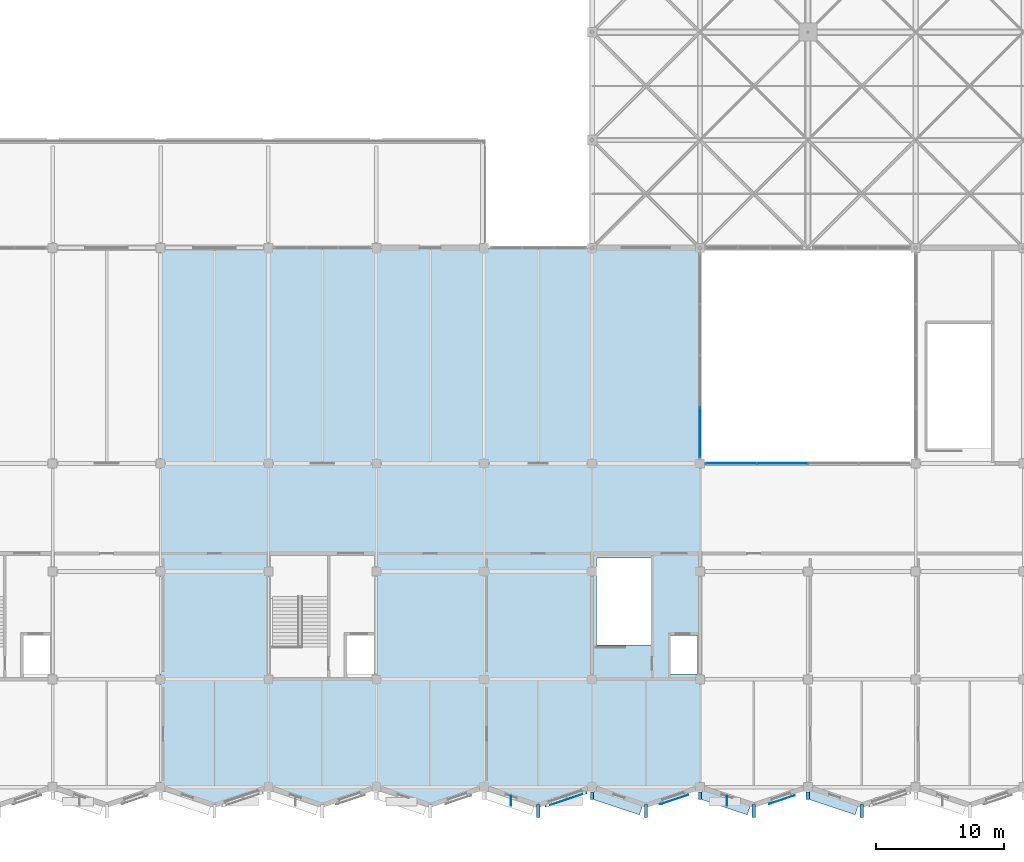
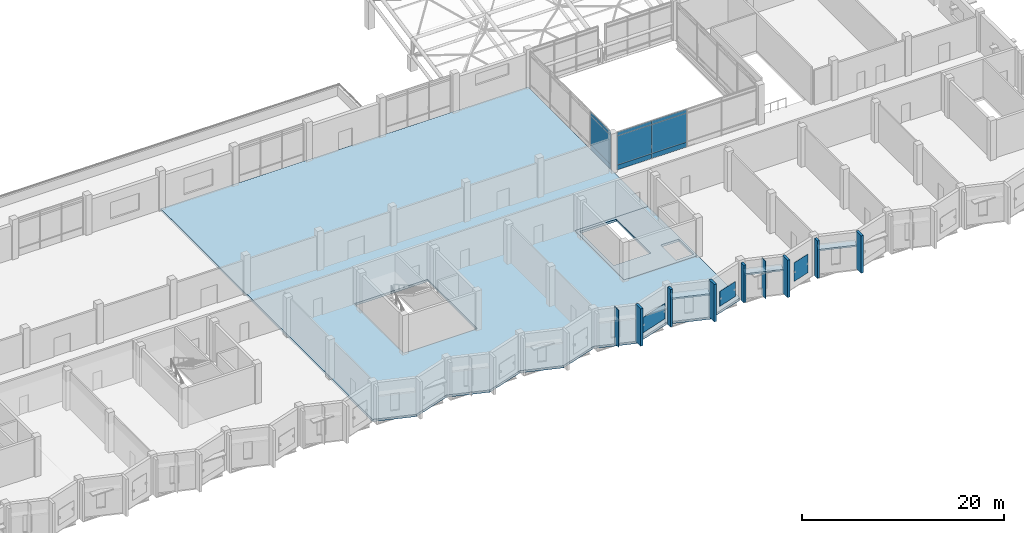
# One storey, part 76 of 110: 24 plates, 2 slabs, 2 elements without a shape of their own.
"""IFC4 building model written with IfcOpenShell, lengths in metres."""

from ifc_helpers import new_model, si_unit, direction, frame, frame_2d, origin, place, context, subcontext, project, spatial, polyline, rectangle, outline, extrude, material, layer, layer_set, type_object, element, aggregate, save


model = new_model("IFC4")

# Units and contexts
model_context = context("Model", 3, precision=1e-05, world=origin(), true_north=direction((0.0, 1.0)))
body_context = subcontext(model_context, "Body", "Model", "MODEL_VIEW")
ifc_project = project(units=[si_unit("LENGTHUNIT", "METRE"), si_unit("AREAUNIT", "SQUARE_METRE"), si_unit("VOLUMEUNIT", "CUBIC_METRE"), si_unit("PLANEANGLEUNIT", "RADIAN"), si_unit("MASSUNIT", "GRAM", prefix="KILO")], contexts=[model_context])

# Site, building, storey
site_placement = place(None, origin())
site = spatial("IfcSite", under=ifc_project, at=site_placement, CompositionType="ELEMENT")
building_placement = place(site_placement, origin())
building = spatial("IfcBuilding", under=site, at=building_placement, Name="Qawsi Khor Wholesale Market", CompositionType="ELEMENT")
storey_placement = place(building_placement, frame((0.0, 0.0, 11.39990234375)))
storey = spatial("IfcBuildingStorey", under=building, at=storey_placement, Name="L02", CompositionType="ELEMENT", Elevation=11.39990234375)

# Curtain wall, plates
ifc_material_1 = material(Name="Aluminium Anodised Bronze", Category="aluminium")
ifc_layer_1 = layer(ifc_material_1, 0.179931640625, Name="Aluminium Anodised Bronze")
ifc_layer_set_1 = layer_set([ifc_layer_1], Name="Aluminium Anodised Bronze")
curtain_wall_type = type_object("IfcCurtainWallType", Name="Atrium Full-Height Curtain Wall CW-02", PredefinedType="NOTDEFINED", material=ifc_layer_set_1)
curtain_wall_1_placement = place(storey_placement, origin())
curtain_wall_1 = element("IfcCurtainWall", 1, at=curtain_wall_1_placement, inside=storey, type_object=curtain_wall_type, Name="Curtain wall CW-CW-02-L02-041", PredefinedType="NOTDEFINED")
ifc_material_2 = material(Name="Anodised Aluminium Spandrel", Category="aluminium")
ifc_layer_2 = layer(ifc_material_2, 0.06494140625, Name="Anodised Aluminium Spandrel")
ifc_layer_set_2 = layer_set([ifc_layer_2], Name="Anodised Aluminium Spandrel")
plate_type_1 = type_object("IfcPlateType", Name="Insulated Spandrel Panel CW-02 65mm", PredefinedType="CURTAIN_PANEL", material=ifc_layer_set_2)
plate_1_placement = place(storey_placement, frame((151.64501953125, 25.199951171875, 0.005126953125), z_axis=(0.0, 0.0, 1.0), x_axis=(1.0, 0.0, 0.0)))
plate_1 = element("IfcPlate", 2, at=plate_1_placement, type_object=plate_type_1, Name="Curtain panel CW-CW-02-L02-041-P0_00", PredefinedType="CURTAIN_PANEL", context=body_context, shape_type="SweptSolid", body=[
    extrude(rectangle(XDim=3.9775390625, YDim=0.06494140625, at=frame_2d((1.98876953125, 0.0))), origin(), (0.0, 0.0, 1.0), 0.590087890625),
])
plate_2_placement = place(storey_placement, frame((155.62255859375, 25.199951171875, 0.005126953125), z_axis=(0.0, 0.0, 1.0), x_axis=(1.0, 0.0, 0.0)))
plate_2 = element("IfcPlate", 3, at=plate_2_placement, type_object=plate_type_1, Name="Curtain panel CW-CW-02-L02-041-P0_01", PredefinedType="CURTAIN_PANEL", context=body_context, shape_type="SweptSolid", body=[
    extrude(rectangle(XDim=3.9775390625, YDim=0.06494140625, at=frame_2d((1.98876953125, 0.0))), origin(), (0.0, 0.0, 1.0), 0.590087890625),
])

# Curtain wall, plate
curtain_wall_2_placement = place(storey_placement, origin())
curtain_wall_2 = element("IfcCurtainWall", 4, at=curtain_wall_2_placement, inside=storey, type_object=curtain_wall_type, Name="Curtain wall CW-CW-02-L02-044", PredefinedType="NOTDEFINED")
plate_3_placement = place(storey_placement, frame((151.199951171875, 25.64501953125, 0.005126953125), z_axis=(0.0, 0.0, 1.0), x_axis=(0.0, 1.0, 0.0)))
plate_3 = element("IfcPlate", 5, at=plate_3_placement, type_object=plate_type_1, Name="Curtain panel CW-CW-02-L02-044-P0_00", PredefinedType="CURTAIN_PANEL", context=body_context, shape_type="SweptSolid", body=[
    extrude(rectangle(XDim=3.9775390625, YDim=0.06494140625, at=frame_2d((1.98876953125, 0.0))), origin(), (0.0, 0.0, 1.0), 0.590087890625),
])

# Plates
ifc_material_3 = material(Name="Perforated Bronze-Anodised Aluminium", Category="aluminium")
ifc_layer_3 = layer(ifc_material_3, 0.02001953125, Name="Perforated Bronze-Anodised Aluminium")
ifc_layer_set_3 = layer_set([ifc_layer_3], Name="Perforated Bronze-Anodised Aluminium")
plate_type_2 = type_object("IfcPlateType", Name="Perforated Bronze Mashrabiya Screen 20mm", PredefinedType="SHEET", material=ifc_layer_set_3)
plate_4_placement = place(storey_placement, frame((142.35595703125, -0.448486328125, 0.85009765625), z_axis=(0.0, 0.0, 1.0), x_axis=(-0.948690696143, -0.316205570874, 0.0)))
element("IfcPlate", 6, at=plate_4_placement, inside=storey, type_object=plate_type_2, Name="Solar mashrabiya screen 034", PredefinedType="SHEET", context=body_context, shape_type="SweptSolid", body=[
    extrude(rectangle(XDim=3.300048828125, YDim=0.02001953125, at=frame_2d((1.64990234375, 0.0))), origin(), (0.0, 0.0, 1.0), 1.85009765625),
])
plate_5_placement = place(storey_placement, frame((150.291015625, -0.603515625, 0.85009765625), z_axis=(0.0, 0.0, 1.0), x_axis=(-0.948714864533, -0.31613305081, 0.0)))
element("IfcPlate", 7, at=plate_5_placement, inside=storey, type_object=plate_type_2, Name="Solar mashrabiya screen 035", PredefinedType="SHEET", context=body_context, shape_type="SweptSolid", body=[
    extrude(rectangle(XDim=2.31982421875, YDim=0.02001953125, at=frame_2d((1.159912109375, 0.0))), origin(), (0.0, 0.0, 1.0), 1.800048828125),
])
plate_6_placement = place(storey_placement, frame((158.5869140625, -0.63818359375, 0.85009765625), z_axis=(0.0, 0.0, 1.0), x_axis=(-0.948694922148, -0.316192891587, 0.0)))
element("IfcPlate", 8, at=plate_6_placement, inside=storey, type_object=plate_type_2, Name="Solar mashrabiya screen 036", PredefinedType="SHEET", context=body_context, shape_type="SweptSolid", body=[
    extrude(rectangle(XDim=2.10009765625, YDim=0.02001953125, at=frame_2d((1.050048828125, 0.0))), origin(), (0.0, 0.0, 1.0), 2.25),
])
ifc_material_4 = material(Name="Concrete C40/50", Category="concrete")
ifc_layer_4 = layer(ifc_material_4, 0.260009765625, Name="Concrete C40/50")
ifc_layer_set_4 = layer_set([ifc_layer_4], Name="Concrete C40/50")
plate_type_3 = type_object("IfcPlateType", Name="Sculpted Concrete Solar Buttress Fin 260", PredefinedType="SHEET", material=ifc_layer_set_4)
plate_7_placement = place(storey_placement, frame((138.60009765625, -2.35009765625, 0.0), z_axis=(0.0, 0.0, 1.0), x_axis=(0.0, 1.0, 0.0)))
element("IfcPlate", 9, at=plate_7_placement, inside=storey, type_object=plate_type_3, Name="Boulevard concrete solar buttress fin L02-27", PredefinedType="SHEET", context=body_context, shape_type="SweptSolid", body=[
    extrude(rectangle(XDim=1.0, YDim=0.260009765625, at=frame_2d((0.5, 0.0))), origin(), (0.0, 0.0, 1.0), 4.52001953125),
])
plate_8_placement = place(storey_placement, frame((142.800048828125, -0.949951171875, 0.0), z_axis=(0.0, 0.0, 1.0), x_axis=(0.0, 1.0, 0.0)))
element("IfcPlate", 10, at=plate_8_placement, inside=storey, type_object=plate_type_3, Name="Boulevard concrete solar buttress fin L02-28", PredefinedType="SHEET", context=body_context, shape_type="SweptSolid", body=[
    extrude(rectangle(XDim=0.570068359375, YDim=0.260009765625, at=frame_2d((0.28515625, 0.0))), origin(), (0.0, 0.0, 1.0), 4.52001953125),
])
plate_9_placement = place(storey_placement, frame((147.0, -2.35009765625, 0.0), z_axis=(0.0, 0.0, 1.0), x_axis=(0.0, 1.0, 0.0)))
element("IfcPlate", 11, at=plate_9_placement, inside=storey, type_object=plate_type_3, Name="Boulevard concrete solar buttress fin L02-29", PredefinedType="SHEET", context=body_context, shape_type="SweptSolid", body=[
    extrude(rectangle(XDim=1.0, YDim=0.260009765625, at=frame_2d((0.5, 0.0))), origin(), (0.0, 0.0, 1.0), 4.52001953125),
])
plate_10_placement = place(storey_placement, frame((151.199951171875, -0.949951171875, 0.0), z_axis=(0.0, 0.0, 1.0), x_axis=(0.0, 1.0, 0.0)))
element("IfcPlate", 12, at=plate_10_placement, inside=storey, type_object=plate_type_3, Name="Boulevard concrete solar buttress fin L02-30", PredefinedType="SHEET", context=body_context, shape_type="SweptSolid", body=[
    extrude(rectangle(XDim=0.570068359375, YDim=0.260009765625, at=frame_2d((0.28515625, 0.0))), origin(), (0.0, 0.0, 1.0), 4.52001953125),
])
plate_11_placement = place(storey_placement, frame((155.39990234375, -2.35009765625, 0.0), z_axis=(0.0, 0.0, 1.0), x_axis=(0.0, 1.0, 0.0)))
element("IfcPlate", 13, at=plate_11_placement, inside=storey, type_object=plate_type_3, Name="Boulevard concrete solar buttress fin L02-31", PredefinedType="SHEET", context=body_context, shape_type="SweptSolid", body=[
    extrude(rectangle(XDim=1.0, YDim=0.260009765625, at=frame_2d((0.5, 0.0))), origin(), (0.0, 0.0, 1.0), 4.52001953125),
])
plate_12_placement = place(storey_placement, frame((159.60009765625, -0.949951171875, 0.0), z_axis=(0.0, 0.0, 1.0), x_axis=(0.0, 1.0, 0.0)))
element("IfcPlate", 14, at=plate_12_placement, inside=storey, type_object=plate_type_3, Name="Boulevard concrete solar buttress fin L02-32", PredefinedType="SHEET", context=body_context, shape_type="SweptSolid", body=[
    extrude(rectangle(XDim=0.570068359375, YDim=0.260009765625, at=frame_2d((0.28515625, 0.0))), origin(), (0.0, 0.0, 1.0), 4.52001953125),
])
plate_13_placement = place(storey_placement, frame((163.800048828125, -2.35009765625, 0.0), z_axis=(0.0, 0.0, 1.0), x_axis=(0.0, 1.0, 0.0)))
element("IfcPlate", 15, at=plate_13_placement, inside=storey, type_object=plate_type_3, Name="Boulevard concrete solar buttress fin L02-33", PredefinedType="SHEET", context=body_context, shape_type="SweptSolid", body=[
    extrude(rectangle(XDim=1.0, YDim=0.260009765625, at=frame_2d((0.5, 0.0))), origin(), (0.0, 0.0, 1.0), 4.52001953125),
])
ifc_layer_5 = layer(ifc_material_4, 0.949951171875, Name="Concrete C40/50")
ifc_layer_set_5 = layer_set([ifc_layer_5], Name="Concrete C40/50")
plate_type_4 = type_object("IfcPlateType", Name="Sculpted Concrete Sun-Hood Canopy 950", PredefinedType="SHEET", material=ifc_layer_set_5)
for number, where, z_axis, x_axis, name in (
    (16, (142.91064453125, -0.45849609375, 3.25), (0.0, 0.0, 1.0), (0.94867708111, -0.316246416226, 0.0), "Sculpted concrete sun-hood L02-29"),
    (17, (151.310791015625, -0.45849609375, 3.25), (0.0, 0.0, 1.0), (0.94867708111, -0.316246416226, 0.0), "Sculpted concrete sun-hood L02-31"),
    (18, (159.710693359375, -0.45849609375, 3.25), (0.0, 0.0, 1.0), (0.94867708111, -0.316246416226, 0.0), "Sculpted concrete sun-hood L02-33"),
):
    element("IfcPlate", number, at=place(storey_placement, frame(where, z_axis=z_axis, x_axis=x_axis)), inside=storey, type_object=plate_type_4, Name=name, PredefinedType="SHEET", context=body_context, shape_type="SweptSolid", body=[
        extrude(rectangle(XDim=3.92724609375, YDim=0.949951171875, at=frame_2d((1.963623046875, 0.0))), origin(), (0.0, 0.0, 1.0), 0.190185546875),
    ])

# Plate
ifc_material_5 = material(Name="Tempered Low-E Solar Glass", Category="glass")
ifc_layer_6 = layer(ifc_material_5, 0.031982421875, Name="Tempered Low-E Solar Glass")
ifc_layer_set_6 = layer_set([ifc_layer_6], Name="Tempered Low-E Solar Glass")
plate_type_5 = type_object("IfcPlateType", Name="Solar Double-Glazed Unit CW-02 32mm", PredefinedType="CURTAIN_PANEL", material=ifc_layer_set_6)
plate_14_placement = place(storey_placement, frame((151.64501953125, 25.199951171875, 0.60498046875), z_axis=(0.0, 0.0, 1.0), x_axis=(1.0, 0.0, 0.0)))
plate_14 = element("IfcPlate", 19, at=plate_14_placement, type_object=plate_type_5, Name="Curtain panel CW-CW-02-L02-041-P1_00", PredefinedType="CURTAIN_PANEL", context=body_context, shape_type="SweptSolid", body=[
    extrude(rectangle(XDim=3.9775390625, YDim=0.031982421875, at=frame_2d((1.98876953125, 0.0))), origin(), (0.0, 0.0, 1.0), 3.490234375),
])

plate_15_placement = place(storey_placement, frame((155.62255859375, 25.199951171875, 0.60498046875), z_axis=(0.0, 0.0, 1.0), x_axis=(1.0, 0.0, 0.0)))
plate_15 = element("IfcPlate", 20, at=plate_15_placement, type_object=plate_type_5, Name="Curtain panel CW-CW-02-L02-041-P1_01", PredefinedType="CURTAIN_PANEL", context=body_context, shape_type="SweptSolid", body=[
    extrude(rectangle(XDim=3.9775390625, YDim=0.031982421875, at=frame_2d((1.98876953125, 0.0))), origin(), (0.0, 0.0, 1.0), 3.490234375),
])

plate_16_placement = place(storey_placement, frame((151.64501953125, 25.199951171875, 4.10498046875), z_axis=(0.0, 0.0, 1.0), x_axis=(1.0, 0.0, 0.0)))
plate_16 = element("IfcPlate", 21, at=plate_16_placement, type_object=plate_type_5, Name="Curtain panel CW-CW-02-L02-041-P2_00", PredefinedType="CURTAIN_PANEL", context=body_context, shape_type="SweptSolid", body=[
    extrude(rectangle(XDim=3.9775390625, YDim=0.031982421875, at=frame_2d((1.98876953125, 0.0))), origin(), (0.0, 0.0, 1.0), 0.440185546875),
])

plate_17_placement = place(storey_placement, frame((155.62255859375, 25.199951171875, 4.10498046875), z_axis=(0.0, 0.0, 1.0), x_axis=(1.0, 0.0, 0.0)))
plate_17 = element("IfcPlate", 22, at=plate_17_placement, type_object=plate_type_5, Name="Curtain panel CW-CW-02-L02-041-P2_01", PredefinedType="CURTAIN_PANEL", context=body_context, shape_type="SweptSolid", body=[
    extrude(rectangle(XDim=3.9775390625, YDim=0.031982421875, at=frame_2d((1.98876953125, 0.0))), origin(), (0.0, 0.0, 1.0), 0.440185546875),
])

aggregate(curtain_wall_1, [plate_1, plate_2, plate_14, plate_15, plate_16, plate_17])

plate_18_placement = place(storey_placement, frame((151.199951171875, 25.64501953125, 0.60498046875), z_axis=(0.0, 0.0, 1.0), x_axis=(0.0, 1.0, 0.0)))
plate_18 = element("IfcPlate", 23, at=plate_18_placement, type_object=plate_type_5, Name="Curtain panel CW-CW-02-L02-044-P1_00", PredefinedType="CURTAIN_PANEL", context=body_context, shape_type="SweptSolid", body=[
    extrude(rectangle(XDim=3.9775390625, YDim=0.031982421875, at=frame_2d((1.98876953125, 0.0))), origin(), (0.0, 0.0, 1.0), 3.490234375),
])

plate_19_placement = place(storey_placement, frame((151.199951171875, 25.64501953125, 4.10498046875), z_axis=(0.0, 0.0, 1.0), x_axis=(0.0, 1.0, 0.0)))
plate_19 = element("IfcPlate", 24, at=plate_19_placement, type_object=plate_type_5, Name="Curtain panel CW-CW-02-L02-044-P2_00", PredefinedType="CURTAIN_PANEL", context=body_context, shape_type="SweptSolid", body=[
    extrude(rectangle(XDim=3.9775390625, YDim=0.031982421875, at=frame_2d((1.98876953125, 0.0))), origin(), (0.0, 0.0, 1.0), 0.440185546875),
])

aggregate(curtain_wall_2, [plate_3, plate_18, plate_19])

# Slabs
ifc_layer_7 = layer(ifc_material_4, 0.280029296875, Name="Concrete C40/50")
ifc_layer_set_7 = layer_set([ifc_layer_7], Name="Concrete C40/50")
slab_type = type_object("IfcSlabType", Name="Suspended Floor Slab 280 C40/50", PredefinedType="FLOOR", material=ifc_layer_set_7)
slab_1_placement = place(storey_placement, frame((0.0, 0.0, -0.27978515625)))
element("IfcSlab", 25, at=slab_1_placement, inside=storey, type_object=slab_type, Name="Core floor slab L02 C05", PredefinedType="FLOOR", context=body_context, shape_type="SweptSolid", body=[
    extrude(outline(polyline([(142.800048828125, 18.199951171875), (151.199951171875, 18.199951171875), (151.199951171875, 8.39990234375), (142.800048828125, 8.39990234375), (142.800048828125, 18.199951171875)]), holes=[polyline([(148.919921875, 8.800048828125), (151.0, 8.800048828125), (151.0, 11.800048828125), (148.919921875, 11.800048828125), (148.919921875, 8.800048828125)]), polyline([(143.139892578125, 11.080078125), (147.3798828125, 11.080078125), (147.3798828125, 17.860107421875), (143.139892578125, 17.860107421875), (143.139892578125, 11.080078125)])]), origin(), (0.0, 0.0, 1.0), 0.27978515625),
])
slab_2_placement = place(storey_placement, frame((0.0, 0.0, -0.27978515625)))
element("IfcSlab", 26, at=slab_2_placement, inside=storey, type_object=slab_type, Name="SLB-L02-SWING-3", PredefinedType="FLOOR", context=body_context, shape_type="SweptSolid", body=[
    extrude(outline(polyline([(109.199951171875, 42.0), (151.199951171875, 42.0), (151.199951171875, 18.199951171875), (142.800048828125, 18.199951171875), (142.800048828125, 8.39990234375), (151.199951171875, 8.39990234375), (151.199951171875, 0.0), (147.0, -1.39990234375), (142.800048828125, 0.0), (138.60009765625, -1.39990234375), (134.39990234375, 0.0), (130.199951171875, -1.39990234375), (126.0, 0.0), (121.800048828125, -1.39990234375), (117.60009765625, 0.0), (113.39990234375, -1.39990234375), (109.199951171875, 0.0), (109.199951171875, 42.0)]), holes=[polyline([(126.0, 18.199951171875), (117.60009765625, 18.199951171875), (117.60009765625, 8.39990234375), (126.0, 8.39990234375), (126.0, 18.199951171875)])]), origin(), (0.0, 0.0, 1.0), 0.27978515625),
])

# Plates
ifc_layer_8 = layer(ifc_material_3, 0.044921875, Name="Perforated Bronze-Anodised Aluminium")
ifc_layer_set_8 = layer_set([ifc_layer_8], Name="Perforated Bronze-Anodised Aluminium")
plate_type_6 = type_object("IfcPlateType", Name="Vertical Sculpted Sun-Fin Plate 45mm", PredefinedType="SHEET", material=ifc_layer_set_8)
for number, where, z_axis, x_axis, name in (
    (27, (136.5, -1.449951171875, 0.0), (0.0, 0.0, 1.0), (0.0, 1.0, 0.0), "Sculpted vertical sun-fin L02-26"),
    (28, (153.300048828125, -1.449951171875, 0.0), (0.0, 0.0, 1.0), (0.0, 1.0, 0.0), "Sculpted vertical sun-fin L02-30"),
):
    element("IfcPlate", number, at=place(storey_placement, frame(where, z_axis=z_axis, x_axis=x_axis)), inside=storey, type_object=plate_type_6, Name=name, PredefinedType="SHEET", context=body_context, shape_type="SweptSolid", body=[
        extrude(rectangle(XDim=0.800048828125, YDim=0.044921875, at=frame_2d((0.39990234375, 0.0))), origin(), (0.0, 0.0, 1.0), 4.52001953125),
    ])

save(model, "model.ifc")
